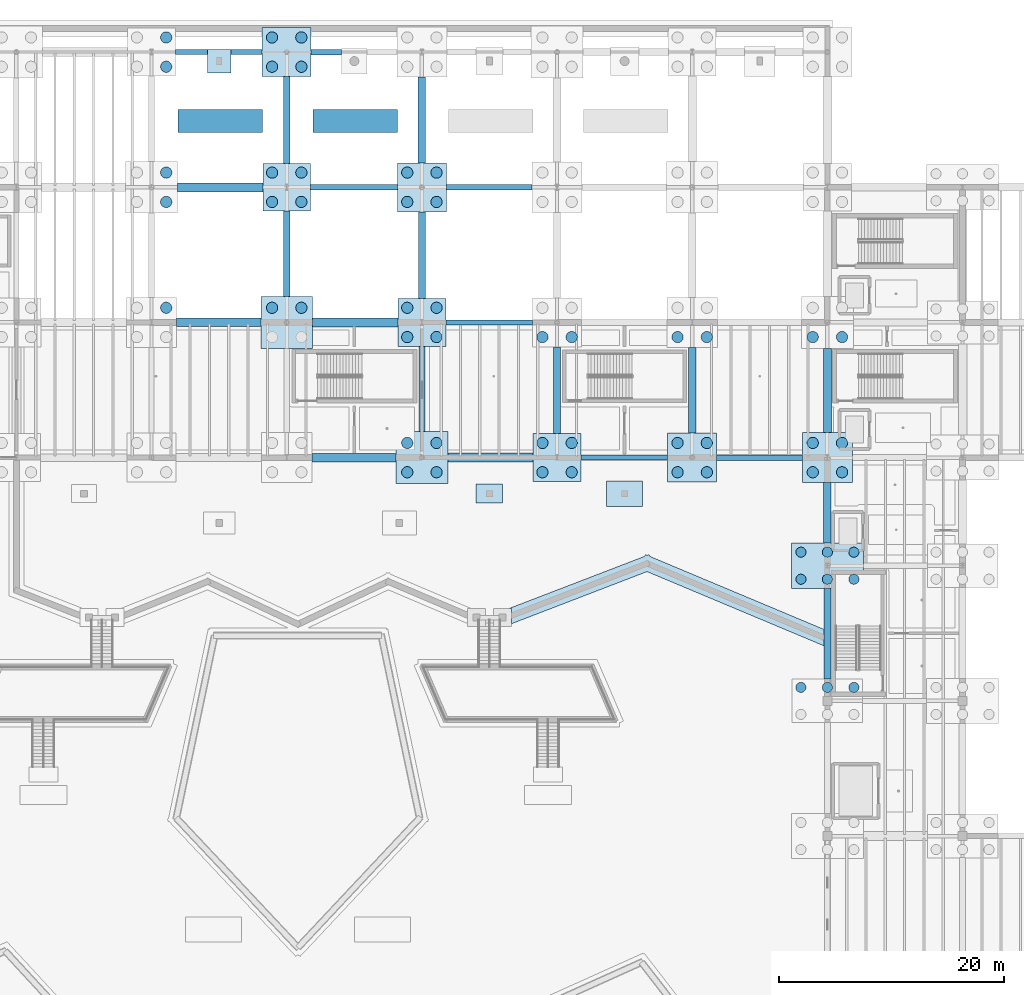
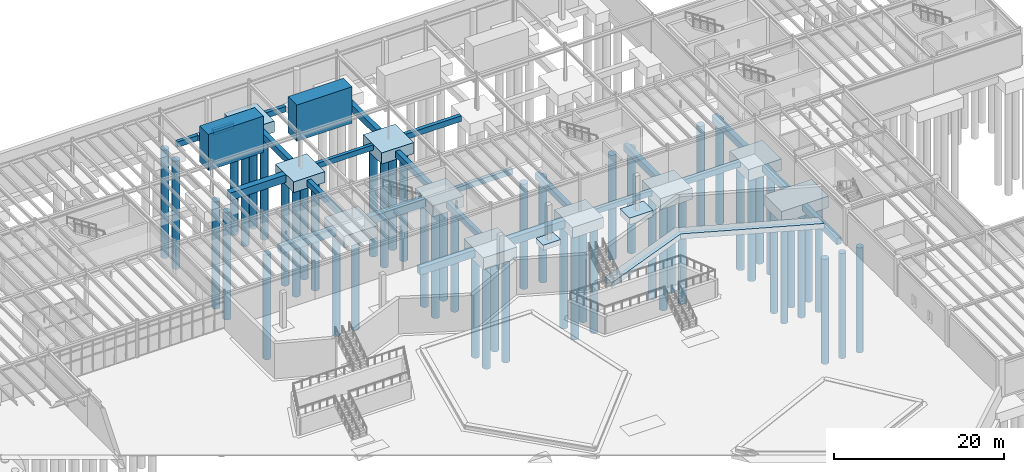
# One storey, part 6 of 67: 54 piles, 39 footings.
"""IFC4 building model written with IfcOpenShell, lengths in metres."""

from ifc_helpers import new_model, si_unit, direction, frame, origin, origin_2d, place, context, subcontext, project, spatial, polyline, rectangle, circle, outline, extrude, material, material_profile, profile_set, type_object, element, save


model = new_model("IFC4")

# Units and contexts
model_context = context("Model", 3, precision=1e-05, world=origin(), true_north=direction((0.0, 1.0)))
body_context = subcontext(model_context, "Body", "Model", "MODEL_VIEW")
ifc_project = project(units=[si_unit("LENGTHUNIT", "METRE"), si_unit("AREAUNIT", "SQUARE_METRE"), si_unit("VOLUMEUNIT", "CUBIC_METRE"), si_unit("PLANEANGLEUNIT", "RADIAN"), si_unit("MASSUNIT", "GRAM", prefix="KILO")], contexts=[model_context])

# Site, building, storey
site_placement = place(None, origin())
site = spatial("IfcSite", under=ifc_project, at=site_placement, CompositionType="ELEMENT")
building_placement = place(site_placement, origin())
building = spatial("IfcBuilding", under=site, at=building_placement, Name="Zlatogorsky Bluff Art Gallery", CompositionType="ELEMENT")
storey_placement = place(building_placement, frame((0.0, 0.0, -5.39990234375)))
storey = spatial("IfcBuildingStorey", under=building, at=storey_placement, Name="B1", CompositionType="ELEMENT", Elevation=-5.39990234375)

# Piles
ifc_material = material(Name="Concrete C35/45", Category="concrete")
ifc_material_profile_1 = material_profile(ifc_material, circle(Radius=0.5, at=origin_2d()), Name="BORED PILE D1000")
ifc_profile_set_1 = profile_set([ifc_material_profile_1], Name="Concrete C35/45")
pile_type_1 = type_object("IfcPileType", Name="Bored Pile D1000 C35/45", PredefinedType="BORED", material=ifc_profile_set_1)
pile_placement = place(storey_placement, frame((61.300048828125, 97.300048828125, -1.9501953125), z_axis=(0.0, 0.0, -1.0), x_axis=(1.0, 0.0, 0.0)))
element("IfcPile", 1, at=pile_placement, inside=storey, type_object=pile_type_1, Name="Bored pile PL-02 05.09.4", PredefinedType="BORED", context=body_context, shape_type="SweptSolid", body=[
    extrude(circle(Radius=0.5, at=origin_2d()), origin(), (0.0, 0.0, 1.0), 15.050048828125),
])
for number, where, z_axis, x_axis, name in (
    (2, (61.300048828125, 106.699951171875, -1.60009765625), (0.0, 0.0, -1.0), (1.0, 0.0, 0.0), "Bored pile PL-02 05.10.3"),
    (3, (61.300048828125, 109.300048828125, -1.60009765625), (0.0, 0.0, -1.0), (1.0, 0.0, 0.0), "Bored pile PL-02 05.10.4"),
):
    element("IfcPile", number, at=place(storey_placement, frame(where, z_axis=z_axis, x_axis=x_axis)), inside=storey, type_object=pile_type_1, Name=name, PredefinedType="BORED", context=body_context, shape_type="SweptSolid", body=[
        extrude(circle(Radius=0.5, at=origin_2d()), origin(), (0.0, 0.0, 1.0), 15.39990234375),
    ])
for number, where, z_axis, x_axis, name in (
    (4, (61.300048828125, 118.699951171875, -1.4501953125), (0.0, 0.0, -1.0), (1.0, 0.0, 0.0), "Bored pile PL-02 05.11.3"),
    (5, (61.300048828125, 121.300048828125, -1.4501953125), (0.0, 0.0, -1.0), (1.0, 0.0, 0.0), "Bored pile PL-02 05.11.4"),
):
    element("IfcPile", number, at=place(storey_placement, frame(where, z_axis=z_axis, x_axis=x_axis)), inside=storey, type_object=pile_type_1, Name=name, PredefinedType="BORED", context=body_context, shape_type="SweptSolid", body=[
        extrude(circle(Radius=0.5, at=origin_2d()), origin(), (0.0, 0.0, 1.0), 15.550048828125),
    ])
for number, where, z_axis, x_axis, name in (
    (6, (70.699951171875, 97.300048828125, -2.0), (0.0, 0.0, -1.0), (1.0, 0.0, 0.0), "Bored pile PL-02 06.09.2"),
    (7, (73.300048828125, 97.300048828125, -2.0), (0.0, 0.0, -1.0), (1.0, 0.0, 0.0), "Bored pile PL-02 06.09.4"),
):
    element("IfcPile", number, at=place(storey_placement, frame(where, z_axis=z_axis, x_axis=x_axis)), inside=storey, type_object=pile_type_1, Name=name, PredefinedType="BORED", context=body_context, shape_type="SweptSolid", body=[
        extrude(circle(Radius=0.5, at=origin_2d()), origin(), (0.0, 0.0, 1.0), 15.0),
    ])
for number, where, z_axis, x_axis, name in (
    (8, (70.699951171875, 106.699951171875, -1.4501953125), (0.0, 0.0, -1.0), (1.0, 0.0, 0.0), "Bored pile PL-02 06.10.1"),
    (9, (70.699951171875, 109.300048828125, -1.4501953125), (0.0, 0.0, -1.0), (1.0, 0.0, 0.0), "Bored pile PL-02 06.10.2"),
    (10, (73.300048828125, 106.699951171875, -1.4501953125), (0.0, 0.0, -1.0), (1.0, 0.0, 0.0), "Bored pile PL-02 06.10.3"),
    (11, (73.300048828125, 109.300048828125, -1.4501953125), (0.0, 0.0, -1.0), (1.0, 0.0, 0.0), "Bored pile PL-02 06.10.4"),
):
    element("IfcPile", number, at=place(storey_placement, frame(where, z_axis=z_axis, x_axis=x_axis)), inside=storey, type_object=pile_type_1, Name=name, PredefinedType="BORED", context=body_context, shape_type="SweptSolid", body=[
        extrude(circle(Radius=0.5, at=origin_2d()), origin(), (0.0, 0.0, 1.0), 15.550048828125),
    ])
for number, where, z_axis, x_axis, name in (
    (12, (70.699951171875, 118.699951171875, -1.5), (0.0, 0.0, -1.0), (1.0, 0.0, 0.0), "Bored pile PL-02 06.11.1"),
    (13, (70.699951171875, 121.300048828125, -1.5), (0.0, 0.0, -1.0), (1.0, 0.0, 0.0), "Bored pile PL-02 06.11.2"),
    (14, (73.300048828125, 118.699951171875, -1.5), (0.0, 0.0, -1.0), (1.0, 0.0, 0.0), "Bored pile PL-02 06.11.3"),
    (15, (73.300048828125, 121.300048828125, -1.5), (0.0, 0.0, -1.0), (1.0, 0.0, 0.0), "Bored pile PL-02 06.11.4"),
):
    element("IfcPile", number, at=place(storey_placement, frame(where, z_axis=z_axis, x_axis=x_axis)), inside=storey, type_object=pile_type_1, Name=name, PredefinedType="BORED", context=body_context, shape_type="SweptSolid", body=[
        extrude(circle(Radius=0.5, at=origin_2d()), origin(), (0.0, 0.0, 1.0), 15.5),
    ])
for number, where, z_axis, x_axis, name in (
    (16, (82.699951171875, 82.699951171875, -2.0), (0.0, 0.0, -1.0), (1.0, 0.0, 0.0), "Bored pile PL-02 07.08.1"),
    (17, (82.699951171875, 85.300048828125, -2.0), (0.0, 0.0, -1.0), (1.0, 0.0, 0.0), "Bored pile PL-02 07.08.2"),
    (18, (85.300048828125, 82.699951171875, -2.0), (0.0, 0.0, -1.0), (1.0, 0.0, 0.0), "Bored pile PL-02 07.08.3"),
    (19, (85.300048828125, 85.300048828125, -2.0), (0.0, 0.0, -1.0), (1.0, 0.0, 0.0), "Bored pile PL-02 07.08.4"),
):
    element("IfcPile", number, at=place(storey_placement, frame(where, z_axis=z_axis, x_axis=x_axis)), inside=storey, type_object=pile_type_1, Name=name, PredefinedType="BORED", context=body_context, shape_type="SweptSolid", body=[
        extrude(circle(Radius=0.5, at=origin_2d()), origin(), (0.0, 0.0, 1.0), 15.0),
    ])
for number, where, z_axis, x_axis, name in (
    (20, (82.699951171875, 94.699951171875, -1.85009765625), (0.0, 0.0, -1.0), (1.0, 0.0, 0.0), "Bored pile PL-02 07.09.1"),
    (21, (82.699951171875, 97.300048828125, -1.85009765625), (0.0, 0.0, -1.0), (1.0, 0.0, 0.0), "Bored pile PL-02 07.09.2"),
    (22, (85.300048828125, 94.699951171875, -1.85009765625), (0.0, 0.0, -1.0), (1.0, 0.0, 0.0), "Bored pile PL-02 07.09.3"),
    (23, (85.300048828125, 97.300048828125, -1.85009765625), (0.0, 0.0, -1.0), (1.0, 0.0, 0.0), "Bored pile PL-02 07.09.4"),
):
    element("IfcPile", number, at=place(storey_placement, frame(where, z_axis=z_axis, x_axis=x_axis)), inside=storey, type_object=pile_type_1, Name=name, PredefinedType="BORED", context=body_context, shape_type="SweptSolid", body=[
        extrude(circle(Radius=0.5, at=origin_2d()), origin(), (0.0, 0.0, 1.0), 15.14990234375),
    ])
for number, where, z_axis, x_axis, name in (
    (24, (82.699951171875, 106.699951171875, -1.5), (0.0, 0.0, -1.0), (1.0, 0.0, 0.0), "Bored pile PL-02 07.10.1"),
    (25, (82.699951171875, 109.300048828125, -1.5), (0.0, 0.0, -1.0), (1.0, 0.0, 0.0), "Bored pile PL-02 07.10.2"),
    (26, (85.300048828125, 106.699951171875, -1.5), (0.0, 0.0, -1.0), (1.0, 0.0, 0.0), "Bored pile PL-02 07.10.3"),
    (27, (85.300048828125, 109.300048828125, -1.5), (0.0, 0.0, -1.0), (1.0, 0.0, 0.0), "Bored pile PL-02 07.10.4"),
):
    element("IfcPile", number, at=place(storey_placement, frame(where, z_axis=z_axis, x_axis=x_axis)), inside=storey, type_object=pile_type_1, Name=name, PredefinedType="BORED", context=body_context, shape_type="SweptSolid", body=[
        extrude(circle(Radius=0.5, at=origin_2d()), origin(), (0.0, 0.0, 1.0), 15.5),
    ])
for number, where, z_axis, x_axis, name in (
    (28, (94.699951171875, 82.699951171875, -1.85009765625), (0.0, 0.0, -1.0), (1.0, 0.0, 0.0), "Bored pile PL-02 08.08.1"),
    (29, (94.699951171875, 85.300048828125, -1.85009765625), (0.0, 0.0, -1.0), (1.0, 0.0, 0.0), "Bored pile PL-02 08.08.2"),
    (30, (97.300048828125, 82.699951171875, -1.85009765625), (0.0, 0.0, -1.0), (1.0, 0.0, 0.0), "Bored pile PL-02 08.08.3"),
    (31, (97.300048828125, 85.300048828125, -1.85009765625), (0.0, 0.0, -1.0), (1.0, 0.0, 0.0), "Bored pile PL-02 08.08.4"),
):
    element("IfcPile", number, at=place(storey_placement, frame(where, z_axis=z_axis, x_axis=x_axis)), inside=storey, type_object=pile_type_1, Name=name, PredefinedType="BORED", context=body_context, shape_type="SweptSolid", body=[
        extrude(circle(Radius=0.5, at=origin_2d()), origin(), (0.0, 0.0, 1.0), 15.14990234375),
    ])
for number, where, z_axis, x_axis, name in (
    (32, (94.699951171875, 94.699951171875, -1.900146484375), (0.0, 0.0, -1.0), (1.0, 0.0, 0.0), "Bored pile PL-02 08.09.1"),
    (33, (97.300048828125, 94.699951171875, -1.900146484375), (0.0, 0.0, -1.0), (1.0, 0.0, 0.0), "Bored pile PL-02 08.09.3"),
    (34, (106.699951171875, 82.699951171875, -1.900146484375), (0.0, 0.0, -1.0), (1.0, 0.0, 0.0), "Bored pile PL-02 09.08.1"),
    (35, (106.699951171875, 85.300048828125, -1.900146484375), (0.0, 0.0, -1.0), (1.0, 0.0, 0.0), "Bored pile PL-02 09.08.2"),
    (36, (109.300048828125, 82.699951171875, -1.900146484375), (0.0, 0.0, -1.0), (1.0, 0.0, 0.0), "Bored pile PL-02 09.08.3"),
    (37, (109.300048828125, 85.300048828125, -1.900146484375), (0.0, 0.0, -1.0), (1.0, 0.0, 0.0), "Bored pile PL-02 09.08.4"),
):
    element("IfcPile", number, at=place(storey_placement, frame(where, z_axis=z_axis, x_axis=x_axis)), inside=storey, type_object=pile_type_1, Name=name, PredefinedType="BORED", context=body_context, shape_type="SweptSolid", body=[
        extrude(circle(Radius=0.5, at=origin_2d()), origin(), (0.0, 0.0, 1.0), 15.10009765625),
    ])
for number, where, z_axis, x_axis, name in (
    (38, (106.699951171875, 94.699951171875, -1.9501953125), (0.0, 0.0, -1.0), (1.0, 0.0, 0.0), "Bored pile PL-02 09.09.1"),
    (39, (109.300048828125, 94.699951171875, -1.9501953125), (0.0, 0.0, -1.0), (1.0, 0.0, 0.0), "Bored pile PL-02 09.09.3"),
    (40, (118.699951171875, 82.699951171875, -1.9501953125), (0.0, 0.0, -1.0), (1.0, 0.0, 0.0), "Bored pile PL-02 10.08.1"),
    (41, (118.699951171875, 85.300048828125, -1.9501953125), (0.0, 0.0, -1.0), (1.0, 0.0, 0.0), "Bored pile PL-02 10.08.2"),
    (42, (121.300048828125, 82.699951171875, -1.9501953125), (0.0, 0.0, -1.0), (1.0, 0.0, 0.0), "Bored pile PL-02 10.08.3"),
    (43, (121.300048828125, 85.300048828125, -1.9501953125), (0.0, 0.0, -1.0), (1.0, 0.0, 0.0), "Bored pile PL-02 10.08.4"),
):
    element("IfcPile", number, at=place(storey_placement, frame(where, z_axis=z_axis, x_axis=x_axis)), inside=storey, type_object=pile_type_1, Name=name, PredefinedType="BORED", context=body_context, shape_type="SweptSolid", body=[
        extrude(circle(Radius=0.5, at=origin_2d()), origin(), (0.0, 0.0, 1.0), 15.050048828125),
    ])
for number, where, z_axis, x_axis, name in (
    (44, (118.699951171875, 94.699951171875, -2.0), (0.0, 0.0, -1.0), (1.0, 0.0, 0.0), "Bored pile PL-02 10.09.1"),
    (45, (121.300048828125, 94.699951171875, -2.0), (0.0, 0.0, -1.0), (1.0, 0.0, 0.0), "Bored pile PL-02 10.09.3"),
):
    element("IfcPile", number, at=place(storey_placement, frame(where, z_axis=z_axis, x_axis=x_axis)), inside=storey, type_object=pile_type_1, Name=name, PredefinedType="BORED", context=body_context, shape_type="SweptSolid", body=[
        extrude(circle(Radius=0.5, at=origin_2d()), origin(), (0.0, 0.0, 1.0), 15.0),
    ])
ifc_material_profile_2 = material_profile(ifc_material, circle(Radius=0.449951171875, at=origin_2d()), Name="BORED PILE D900")
ifc_profile_set_2 = profile_set([ifc_material_profile_2], Name="Concrete C35/45")
pile_type_2 = type_object("IfcPileType", Name="Bored Pile D900 C35/45", PredefinedType="BORED", material=ifc_profile_set_2)
for number, where, z_axis, x_axis, name in (
    (46, (117.64990234375, 63.60009765625, -1.900146484375), (0.0, 0.0, -1.0), (1.0, 0.0, 0.0), "Bored pile PL-01 10.06.4"),
    (47, (120.0, 63.60009765625, -1.900146484375), (0.0, 0.0, -1.0), (1.0, 0.0, 0.0), "Bored pile PL-01 10.06.5"),
    (48, (122.35009765625, 63.60009765625, -1.900146484375), (0.0, 0.0, -1.0), (1.0, 0.0, 0.0), "Bored pile PL-01 10.06.6"),
):
    element("IfcPile", number, at=place(storey_placement, frame(where, z_axis=z_axis, x_axis=x_axis)), inside=storey, type_object=pile_type_2, Name=name, PredefinedType="BORED", context=body_context, shape_type="SweptSolid", body=[
        extrude(circle(Radius=0.449951171875, at=origin_2d()), origin(), (0.0, 0.0, 1.0), 15.10009765625),
    ])
for number, where, z_axis, x_axis, name in (
    (49, (117.64990234375, 73.199951171875, -1.9501953125), (0.0, 0.0, -1.0), (1.0, 0.0, 0.0), "Bored pile PL-01 10.07.1"),
    (50, (120.0, 73.199951171875, -1.9501953125), (0.0, 0.0, -1.0), (1.0, 0.0, 0.0), "Bored pile PL-01 10.07.2"),
    (51, (122.35009765625, 73.199951171875, -1.9501953125), (0.0, 0.0, -1.0), (1.0, 0.0, 0.0), "Bored pile PL-01 10.07.3"),
    (52, (117.64990234375, 75.60009765625, -1.9501953125), (0.0, 0.0, -1.0), (1.0, 0.0, 0.0), "Bored pile PL-01 10.07.4"),
    (53, (120.0, 75.60009765625, -1.9501953125), (0.0, 0.0, -1.0), (1.0, 0.0, 0.0), "Bored pile PL-01 10.07.5"),
    (54, (122.35009765625, 75.60009765625, -1.9501953125), (0.0, 0.0, -1.0), (1.0, 0.0, 0.0), "Bored pile PL-01 10.07.6"),
):
    element("IfcPile", number, at=place(storey_placement, frame(where, z_axis=z_axis, x_axis=x_axis)), inside=storey, type_object=pile_type_2, Name=name, PredefinedType="BORED", context=body_context, shape_type="SweptSolid", body=[
        extrude(circle(Radius=0.449951171875, at=origin_2d()), origin(), (0.0, 0.0, 1.0), 15.050048828125),
    ])

# Footings
footing_type_1 = type_object("IfcFootingType", Name="Foundation FB-01 450x750", PredefinedType="FOOTING_BEAM", material=ifc_material)
footing_1_placement = place(storey_placement, frame((0.0, 0.0, -0.75)))
element("IfcFooting", 55, at=footing_1_placement, inside=storey, type_object=footing_type_1, Name="Ground tie beam FB-01 F-G/12-1", PredefinedType="FOOTING_BEAM", context=body_context, shape_type="SweptSolid", body=[
    extrude(outline(polyline([(62.125, 119.77490234375), (64.94970703125, 119.77490234375), (64.94970703125, 120.22509765625), (62.125, 120.22509765625), (62.125, 119.77490234375)])), origin(), (0.0, 0.0, 1.0), 0.75),
])
footing_2_placement = place(storey_placement, frame((0.0, 0.0, -0.75)))
element("IfcFooting", 56, at=footing_2_placement, inside=storey, type_object=footing_type_1, Name="Ground tie beam FB-01 F-G/12-2", PredefinedType="FOOTING_BEAM", context=body_context, shape_type="SweptSolid", body=[
    extrude(outline(polyline([(67.05029296875, 119.77490234375), (69.824951171875, 119.77490234375), (69.824951171875, 120.22509765625), (67.05029296875, 120.22509765625), (67.05029296875, 119.77490234375)])), origin(), (0.0, 0.0, 1.0), 0.75),
])
footing_3_placement = place(storey_placement, frame((0.0, 0.0, -0.75)))
element("IfcFooting", 57, at=footing_3_placement, inside=storey, type_object=footing_type_1, Name="Ground tie beam FB-01 G-H/11", PredefinedType="FOOTING_BEAM", context=body_context, shape_type="SweptSolid", body=[
    extrude(outline(polyline([(74.125, 107.77490234375), (81.824951171875, 107.77490234375), (81.824951171875, 108.22509765625), (74.125, 108.22509765625), (74.125, 107.77490234375)])), origin(), (0.0, 0.0, 1.0), 0.75),
])
footing_4_placement = place(storey_placement, frame((0.0, 0.0, -1.150146484375)))
element("IfcFooting", 58, at=footing_4_placement, inside=storey, type_object=footing_type_1, Name="Ground tie beam FB-01 H-J/10", PredefinedType="FOOTING_BEAM", context=body_context, shape_type="SweptSolid", body=[
    extrude(outline(polyline([(86.125, 95.77490234375), (93.824951171875, 95.77490234375), (93.824951171875, 96.22509765625), (86.125, 96.22509765625), (86.125, 95.77490234375)])), origin(), (0.0, 0.0, 1.0), 0.75),
])
footing_5_placement = place(storey_placement, frame((0.0, 0.0, -1.150146484375)))
element("IfcFooting", 59, at=footing_5_placement, inside=storey, type_object=footing_type_1, Name="Ground tie beam FB-01 J-K/9", PredefinedType="FOOTING_BEAM", context=body_context, shape_type="SweptSolid", body=[
    extrude(outline(polyline([(98.125, 83.77490234375), (105.824951171875, 83.77490234375), (105.824951171875, 84.22509765625), (98.125, 84.22509765625), (98.125, 83.77490234375)])), origin(), (0.0, 0.0, 1.0), 0.75),
])
footing_type_2 = type_object("IfcFootingType", Name="Foundation FB-02 500x800", PredefinedType="FOOTING_BEAM", material=ifc_material)
footing_6_placement = place(storey_placement, frame((0.0, 0.0, -0.800048828125)))
element("IfcFooting", 60, at=footing_6_placement, inside=storey, type_object=footing_type_2, Name="Ground tie beam FB-02 G-H/12-1", PredefinedType="FOOTING_BEAM", context=body_context, shape_type="SweptSolid", body=[
    extrude(outline(polyline([(74.175048828125, 119.75), (76.87451171875, 119.75), (76.87451171875, 120.25), (74.175048828125, 120.25), (74.175048828125, 119.75)])), origin(), (0.0, 0.0, 1.0), 0.800048828125),
])
footing_7_placement = place(storey_placement, frame((0.0, 0.0, -0.800048828125)))
element("IfcFooting", 61, at=footing_7_placement, inside=storey, type_object=footing_type_2, Name="Ground tie beam FB-02 H-J/11", PredefinedType="FOOTING_BEAM", context=body_context, shape_type="SweptSolid", body=[
    extrude(outline(polyline([(86.175048828125, 107.75), (93.77490234375, 107.75), (93.77490234375, 108.25), (86.175048828125, 108.25), (86.175048828125, 107.75)])), origin(), (0.0, 0.0, 1.0), 0.800048828125),
])
footing_8_placement = place(storey_placement, frame((0.0, 0.0, -1.2001953125)))
element("IfcFooting", 62, at=footing_8_placement, inside=storey, type_object=footing_type_2, Name="Ground tie beam FB-02 K-L/9", PredefinedType="FOOTING_BEAM", context=body_context, shape_type="SweptSolid", body=[
    extrude(outline(polyline([(110.175048828125, 83.75), (117.77490234375, 83.75), (117.77490234375, 84.25), (110.175048828125, 84.25), (110.175048828125, 83.75)])), origin(), (0.0, 0.0, 1.0), 0.800048828125),
])
footing_type_3 = type_object("IfcFootingType", Name="Foundation FB-03 550x850", PredefinedType="FOOTING_BEAM", material=ifc_material)
footing_9_placement = place(storey_placement, frame((0.0, 0.0, -1.25)))
element("IfcFooting", 63, at=footing_9_placement, inside=storey, type_object=footing_type_3, Name="Ground tie beam FB-03 G/10-11", PredefinedType="FOOTING_BEAM", context=body_context, shape_type="SweptSolid", body=[
    extrude(outline(polyline([(71.72509765625, 98.300048828125), (72.27490234375, 98.300048828125), (72.27490234375, 105.875), (71.72509765625, 105.875), (71.72509765625, 98.300048828125)])), origin(), (0.0, 0.0, 1.0), 0.849853515625),
])
footing_10_placement = place(storey_placement, frame((0.0, 0.0, -1.25)))
element("IfcFooting", 64, at=footing_10_placement, inside=storey, type_object=footing_type_3, Name="Ground tie beam FB-03 H/9-10", PredefinedType="FOOTING_BEAM", context=body_context, shape_type="SweptSolid", body=[
    extrude(outline(polyline([(83.72509765625, 86.300048828125), (84.27490234375, 86.300048828125), (84.27490234375, 93.875), (83.72509765625, 93.875), (83.72509765625, 86.300048828125)])), origin(), (0.0, 0.0, 1.0), 0.849853515625),
])
footing_type_4 = type_object("IfcFootingType", Name="Foundation FB-04 600x900", PredefinedType="FOOTING_BEAM", material=ifc_material)
footing_11_placement = place(storey_placement, frame((0.0, 0.0, -0.900146484375)))
element("IfcFooting", 65, at=footing_11_placement, inside=storey, type_object=footing_type_4, Name="Ground tie beam FB-04 G/11-12", PredefinedType="FOOTING_BEAM", context=body_context, shape_type="SweptSolid", body=[
    extrude(outline(polyline([(71.699951171875, 110.125), (72.300048828125, 110.125), (72.300048828125, 117.824951171875), (71.699951171875, 117.824951171875), (71.699951171875, 110.125)])), origin(), (0.0, 0.0, 1.0), 0.900146484375),
])
footing_12_placement = place(storey_placement, frame((0.0, 0.0, -1.300048828125)))
element("IfcFooting", 66, at=footing_12_placement, inside=storey, type_object=footing_type_4, Name="Ground tie beam FB-04 H/10-11", PredefinedType="FOOTING_BEAM", context=body_context, shape_type="SweptSolid", body=[
    extrude(outline(polyline([(83.699951171875, 98.125), (84.300048828125, 98.125), (84.300048828125, 105.824951171875), (83.699951171875, 105.824951171875), (83.699951171875, 98.125)])), origin(), (0.0, 0.0, 1.0), 0.89990234375),
])
footing_13_placement = place(storey_placement, frame((0.0, 0.0, -1.300048828125)))
element("IfcFooting", 67, at=footing_13_placement, inside=storey, type_object=footing_type_4, Name="Ground tie beam FB-04 J/9-10", PredefinedType="FOOTING_BEAM", context=body_context, shape_type="SweptSolid", body=[
    extrude(outline(polyline([(95.699951171875, 86.125), (96.300048828125, 86.125), (96.300048828125, 93.824951171875), (95.699951171875, 93.824951171875), (95.699951171875, 86.125)])), origin(), (0.0, 0.0, 1.0), 0.89990234375),
])
footing_14_placement = place(storey_placement, frame((0.0, 0.0, -1.300048828125)))
element("IfcFooting", 68, at=footing_14_placement, inside=storey, type_object=footing_type_4, Name="Ground tie beam FB-04 L/7-8", PredefinedType="FOOTING_BEAM", context=body_context, shape_type="SweptSolid", body=[
    extrude(outline(polyline([(119.699951171875, 64.324951171875), (120.300048828125, 64.324951171875), (120.300048828125, 72.39990234375), (119.699951171875, 72.39990234375), (119.699951171875, 64.324951171875)])), origin(), (0.0, 0.0, 1.0), 0.89990234375),
])
footing_type_5 = type_object("IfcFootingType", Name="Foundation FB-05 650x950", PredefinedType="FOOTING_BEAM", material=ifc_material)
footing_15_placement = place(storey_placement, frame((0.0, 0.0, -0.9501953125)))
element("IfcFooting", 69, at=footing_15_placement, inside=storey, type_object=footing_type_5, Name="Ground tie beam FB-05 H/11-12", PredefinedType="FOOTING_BEAM", context=body_context, shape_type="SweptSolid", body=[
    extrude(outline(polyline([(83.675048828125, 110.175048828125), (84.324951171875, 110.175048828125), (84.324951171875, 117.77490234375), (83.675048828125, 117.77490234375), (83.675048828125, 110.175048828125)])), origin(), (0.0, 0.0, 1.0), 0.9501953125),
])
footing_16_placement = place(storey_placement, frame((0.0, 0.0, -1.35009765625)))
element("IfcFooting", 70, at=footing_16_placement, inside=storey, type_object=footing_type_5, Name="Ground tie beam FB-05 K/9-10", PredefinedType="FOOTING_BEAM", context=body_context, shape_type="SweptSolid", body=[
    extrude(outline(polyline([(107.675048828125, 86.175048828125), (108.324951171875, 86.175048828125), (108.324951171875, 93.77490234375), (107.675048828125, 93.77490234375), (107.675048828125, 86.175048828125)])), origin(), (0.0, 0.0, 1.0), 0.949951171875),
])
footing_17_placement = place(storey_placement, frame((0.0, 0.0, -1.35009765625)))
element("IfcFooting", 71, at=footing_17_placement, inside=storey, type_object=footing_type_5, Name="Ground tie beam FB-05 L/8-9", PredefinedType="FOOTING_BEAM", context=body_context, shape_type="SweptSolid", body=[
    extrude(outline(polyline([(119.675048828125, 76.39990234375), (120.324951171875, 76.39990234375), (120.324951171875, 81.77490234375), (119.675048828125, 81.77490234375), (119.675048828125, 76.39990234375)])), origin(), (0.0, 0.0, 1.0), 0.949951171875),
])
footing_type_6 = type_object("IfcFootingType", Name="Foundation FB-06 700x1000", PredefinedType="FOOTING_BEAM", material=ifc_material)
footing_18_placement = place(storey_placement, frame((0.0, 0.0, -1.400146484375)))
element("IfcFooting", 72, at=footing_18_placement, inside=storey, type_object=footing_type_6, Name="Ground tie beam FB-06 L/9-10", PredefinedType="FOOTING_BEAM", context=body_context, shape_type="SweptSolid", body=[
    extrude(outline(polyline([(119.64990234375, 86.22509765625), (120.35009765625, 86.22509765625), (120.35009765625, 93.699951171875), (119.64990234375, 93.699951171875), (119.64990234375, 86.22509765625)])), origin(), (0.0, 0.0, 1.0), 1.0),
])
footing_type_7 = type_object("IfcFootingType", Name="Foundation FB-07 750x1050", PredefinedType="FOOTING_BEAM", material=ifc_material)
footing_19_placement = place(storey_placement, frame((0.0, 0.0, -1.4501953125)))
element("IfcFooting", 73, at=footing_19_placement, inside=storey, type_object=footing_type_7, Name="Ground tie beam FB-07 F-G/10", PredefinedType="FOOTING_BEAM", context=body_context, shape_type="SweptSolid", body=[
    extrude(outline(polyline([(62.22509765625, 95.625), (69.699951171875, 95.625), (69.699951171875, 96.375), (62.22509765625, 96.375), (62.22509765625, 95.625)])), origin(), (0.0, 0.0, 1.0), 1.050048828125),
])
footing_20_placement = place(storey_placement, frame((0.0, 0.0, -1.4501953125)))
element("IfcFooting", 74, at=footing_20_placement, inside=storey, type_object=footing_type_7, Name="Ground tie beam FB-07 G-H/9", PredefinedType="FOOTING_BEAM", context=body_context, shape_type="SweptSolid", body=[
    extrude(outline(polyline([(74.22509765625, 83.625), (81.699951171875, 83.625), (81.699951171875, 84.375), (74.22509765625, 84.375), (74.22509765625, 83.625)])), origin(), (0.0, 0.0, 1.0), 1.050048828125),
])
footing_type_8 = type_object("IfcFootingType", Name="Foundation FB-08 800x1100", PredefinedType="FOOTING_BEAM", material=ifc_material)
footing_21_placement = place(storey_placement, frame((0.0, 0.0, -1.10009765625)))
element("IfcFooting", 75, at=footing_21_placement, inside=storey, type_object=footing_type_8, Name="Ground tie beam FB-08 F-G/11", PredefinedType="FOOTING_BEAM", context=body_context, shape_type="SweptSolid", body=[
    extrude(outline(polyline([(62.300048828125, 107.60009765625), (69.875, 107.60009765625), (69.875, 108.39990234375), (62.300048828125, 108.39990234375), (62.300048828125, 107.60009765625)])), origin(), (0.0, 0.0, 1.0), 1.10009765625),
])
footing_22_placement = place(storey_placement, frame((0.0, 0.0, -1.5)))
element("IfcFooting", 76, at=footing_22_placement, inside=storey, type_object=footing_type_8, Name="Ground tie beam FB-08 G-H/10", PredefinedType="FOOTING_BEAM", context=body_context, shape_type="SweptSolid", body=[
    extrude(outline(polyline([(74.300048828125, 95.60009765625), (81.875, 95.60009765625), (81.875, 96.39990234375), (74.300048828125, 96.39990234375), (74.300048828125, 95.60009765625)])), origin(), (0.0, 0.0, 1.0), 1.099853515625),
])
footing_23_placement = place(storey_placement, frame((0.0, 0.0, -1.5)))
element("IfcFooting", 77, at=footing_23_placement, inside=storey, type_object=footing_type_8, Name="Ground tie beam FB-08 H-J/9", PredefinedType="FOOTING_BEAM", context=body_context, shape_type="SweptSolid", body=[
    extrude(outline(polyline([(86.300048828125, 83.60009765625), (93.875, 83.60009765625), (93.875, 84.39990234375), (86.300048828125, 84.39990234375), (86.300048828125, 83.60009765625)])), origin(), (0.0, 0.0, 1.0), 1.099853515625),
])
footing_type_9 = type_object("IfcFootingType", Name="Foundation SF-04 1350x750", PredefinedType="STRIP_FOOTING", material=ifc_material)
footing_24_placement = place(storey_placement, frame((0.0, 0.0, -0.75)))
element("IfcFooting", 78, at=footing_24_placement, inside=storey, type_object=footing_type_9, Name="Stepped bluff terrace strip footing SF-04 12", PredefinedType="STRIP_FOOTING", context=body_context, shape_type="SweptSolid", body=[
    extrude(outline(polyline([(103.77978515625, 75.238525390625), (103.845947265625, 75.396484375), (104.0107421875, 75.327392578125), (104.177734375, 75.3916015625), (104.2392578125, 75.231689453125), (119.695068359375, 68.750732421875), (119.695068359375, 67.286865234375), (103.9892578125, 73.87255859375), (91.955078125, 69.244140625), (91.955078125, 70.60009765625), (91.955078125, 70.6005859375), (91.954833984375, 70.60107421875), (91.954833984375, 70.6015625), (91.95458984375, 70.601806640625), (91.954345703125, 70.602294921875), (91.9541015625, 70.602783203125), (91.953857421875, 70.603271484375), (91.95361328125, 70.603515625), (91.953125, 70.603759765625), (91.952880859375, 70.604248046875), (91.952392578125, 70.6044921875), (91.951904296875, 70.604736328125), (91.951416015625, 70.604736328125), (91.950927734375, 70.60498046875), (91.950439453125, 70.60498046875), (91.949951171875, 70.60498046875), (91.732666015625, 70.60498046875), (103.77978515625, 75.238525390625)])), origin(), (0.0, 0.0, 1.0), 0.75),
])
footing_type_10 = type_object("IfcFootingType", Name="Pad Footing PF-01 2100x2100x750", PredefinedType="PAD_FOOTING", material=ifc_material)
footing_25_placement = place(storey_placement, frame((66.0, 119.199951171875, -0.75), z_axis=(0.0, 0.0, 1.0), x_axis=(1.0, 0.0, 0.0)))
element("IfcFooting", 79, at=footing_25_placement, inside=storey, type_object=footing_type_10, Name="Pad footing PF-01", PredefinedType="PAD_FOOTING", context=body_context, shape_type="SweptSolid", body=[
    extrude(rectangle(XDim=2.10009765625, YDim=2.10009765625, at=origin_2d()), origin(), (0.0, 0.0, 1.0), 0.75),
])
footing_type_11 = type_object("IfcFootingType", Name="Pad Footing PF-08 3200x2250x950", PredefinedType="PAD_FOOTING", material=ifc_material)
footing_26_placement = place(storey_placement, frame((102.0, 80.800048828125, -0.9501953125), z_axis=(0.0, 0.0, 1.0), x_axis=(1.0, 0.0, 0.0)))
element("IfcFooting", 80, at=footing_26_placement, inside=storey, type_object=footing_type_11, Name="Pad footing PF-08", PredefinedType="PAD_FOOTING", context=body_context, shape_type="SweptSolid", body=[
    extrude(rectangle(XDim=3.199951171875, YDim=2.25, at=origin_2d()), origin(), (0.0, 0.0, 1.0), 0.949951171875),
])
footing_type_12 = type_object("IfcFootingType", Name="Pad Footing PF-10 2350x1700x750", PredefinedType="PAD_FOOTING", material=ifc_material)
footing_27_placement = place(storey_placement, frame((90.0, 80.800048828125, -0.75), z_axis=(0.0, 0.0, 1.0), x_axis=(1.0, 0.0, 0.0)))
element("IfcFooting", 81, at=footing_27_placement, inside=storey, type_object=footing_type_12, Name="Pad footing PF-10", PredefinedType="PAD_FOOTING", context=body_context, shape_type="SweptSolid", body=[
    extrude(rectangle(XDim=2.35009765625, YDim=1.699951171875, at=origin_2d()), origin(), (0.0, 0.0, 1.0), 0.75),
])
footing_type_13 = type_object("IfcFootingType", Name="Pad Footing PF-11 2500x1800x800", PredefinedType="PAD_FOOTING", material=ifc_material)
footing_28_placement = place(storey_placement, origin())
element("IfcFooting", 82, at=footing_28_placement, inside=storey, type_object=footing_type_13, Name="Forecourt ramp foundation plinth 1", PredefinedType="PAD_FOOTING", context=body_context, shape_type="SweptSolid", body=[
    extrude(outline(polyline([(62.35009765625, 112.8798828125), (69.85009765625, 112.8798828125), (69.85009765625, 114.919921875), (62.35009765625, 114.919921875), (62.35009765625, 112.8798828125)])), origin(), (0.0, 0.0, 1.0), 5.219970703125),
])
footing_29_placement = place(storey_placement, origin())
element("IfcFooting", 83, at=footing_29_placement, inside=storey, type_object=footing_type_13, Name="Forecourt ramp foundation plinth 2", PredefinedType="PAD_FOOTING", context=body_context, shape_type="SweptSolid", body=[
    extrude(outline(polyline([(74.35009765625, 112.8798828125), (81.85009765625, 112.8798828125), (81.85009765625, 114.919921875), (74.35009765625, 114.919921875), (74.35009765625, 112.8798828125)])), origin(), (0.0, 0.0, 1.0), 5.219970703125),
])
footing_type_14 = type_object("IfcFootingType", Name="Pile Cap PC-05 4250x4250x1550", PredefinedType="PILE_CAP", material=ifc_material)
for number, where, z_axis, x_axis, name in (
    (84, (72.0, 108.0, -1.55029296875), (0.0, 0.0, 1.0), (1.0, 0.0, 0.0), "Pile cap PC-05 at G11"),
    (85, (84.0, 96.0, -1.9501953125), (0.0, 0.0, 1.0), (1.0, 0.0, 0.0), "Pile cap PC-05 at H10"),
    (86, (96.0, 84.0, -1.9501953125), (0.0, 0.0, 1.0), (1.0, 0.0, 0.0), "Pile cap PC-05 at J9"),
):
    element("IfcFooting", number, at=place(storey_placement, frame(where, z_axis=z_axis, x_axis=x_axis)), inside=storey, type_object=footing_type_14, Name=name, PredefinedType="PILE_CAP", context=body_context, shape_type="SweptSolid", body=[
        extrude(rectangle(XDim=4.25, YDim=4.25, at=origin_2d()), origin(), (0.0, 0.0, 1.0), 1.550048828125),
    ])
footing_type_15 = type_object("IfcFootingType", Name="Pile Cap PC-06 4350x4350x1600", PredefinedType="PILE_CAP", material=ifc_material)
for number, where, z_axis, x_axis, name in (
    (87, (72.0, 120.0, -1.60009765625), (0.0, 0.0, 1.0), (1.0, 0.0, 0.0), "Pile cap PC-06 at G12"),
    (88, (84.0, 108.0, -1.60009765625), (0.0, 0.0, 1.0), (1.0, 0.0, 0.0), "Pile cap PC-06 at H11"),
    (89, (108.0, 84.0, -2.000244140625), (0.0, 0.0, 1.0), (1.0, 0.0, 0.0), "Pile cap PC-06 at K9"),
):
    element("IfcFooting", number, at=place(storey_placement, frame(where, z_axis=z_axis, x_axis=x_axis)), inside=storey, type_object=footing_type_15, Name=name, PredefinedType="PILE_CAP", context=body_context, shape_type="SweptSolid", body=[
        extrude(rectangle(XDim=4.35009765625, YDim=4.35009765625, at=origin_2d()), origin(), (0.0, 0.0, 1.0), 1.60009765625),
    ])
footing_type_16 = type_object("IfcFootingType", Name="Pile Cap PC-07 4450x4450x1650", PredefinedType="PILE_CAP", material=ifc_material)
footing_30_placement = place(storey_placement, frame((120.0, 84.0, -2.050048828125), z_axis=(0.0, 0.0, 1.0), x_axis=(1.0, 0.0, 0.0)))
element("IfcFooting", 90, at=footing_30_placement, inside=storey, type_object=footing_type_16, Name="Pile cap PC-07 at L9", PredefinedType="PILE_CAP", context=body_context, shape_type="SweptSolid", body=[
    extrude(rectangle(XDim=4.449951171875, YDim=4.449951171875, at=origin_2d()), origin(), (0.0, 0.0, 1.0), 1.64990234375),
])
footing_type_17 = type_object("IfcFootingType", Name="Pile Cap PC-08 4600x4600x1700", PredefinedType="PILE_CAP", material=ifc_material)
for number, where, z_axis, x_axis, name in (
    (91, (72.0, 96.0, -2.10009765625), (0.0, 0.0, 1.0), (1.0, 0.0, 0.0), "Pile cap PC-08 at G10"),
    (92, (84.0, 84.0, -2.10009765625), (0.0, 0.0, 1.0), (1.0, 0.0, 0.0), "Pile cap PC-08 at H9"),
):
    element("IfcFooting", number, at=place(storey_placement, frame(where, z_axis=z_axis, x_axis=x_axis)), inside=storey, type_object=footing_type_17, Name=name, PredefinedType="PILE_CAP", context=body_context, shape_type="SweptSolid", body=[
        extrude(rectangle(XDim=4.60009765625, YDim=4.60009765625, at=origin_2d()), origin(), (0.0, 0.0, 1.0), 1.699951171875),
    ])
footing_type_18 = type_object("IfcFootingType", Name="Pile Cap PC-15 6400x4000x1650", PredefinedType="PILE_CAP", material=ifc_material)
footing_31_placement = place(storey_placement, frame((120.0, 74.39990234375, -2.050048828125), z_axis=(0.0, 0.0, 1.0), x_axis=(1.0, 0.0, 0.0)))
element("IfcFooting", 93, at=footing_31_placement, inside=storey, type_object=footing_type_18, Name="Pile cap PC-15 at L8", PredefinedType="PILE_CAP", context=body_context, shape_type="SweptSolid", body=[
    extrude(rectangle(XDim=6.39990234375, YDim=4.0, at=origin_2d()), origin(), (0.0, 0.0, 1.0), 1.64990234375),
])

save(model, "model.ifc")
